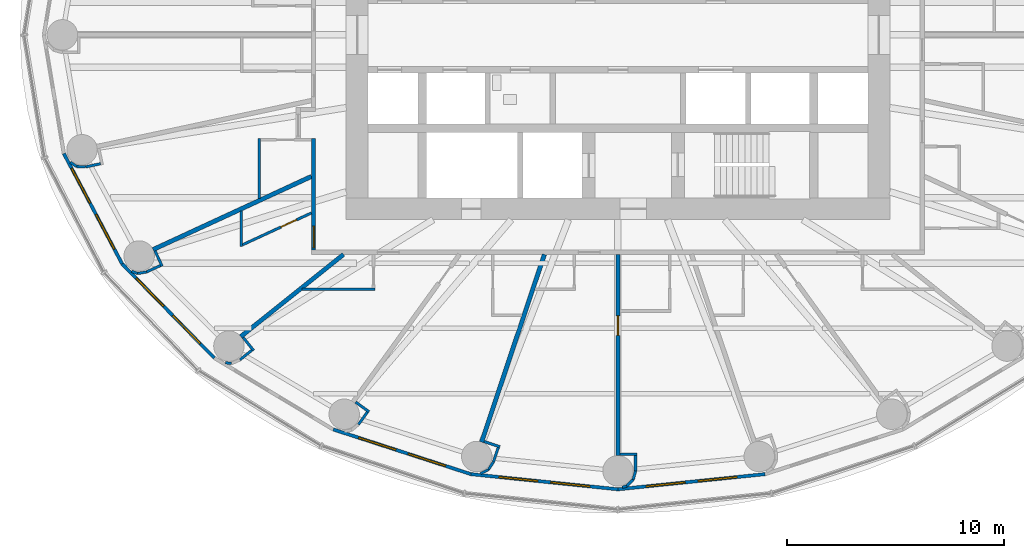
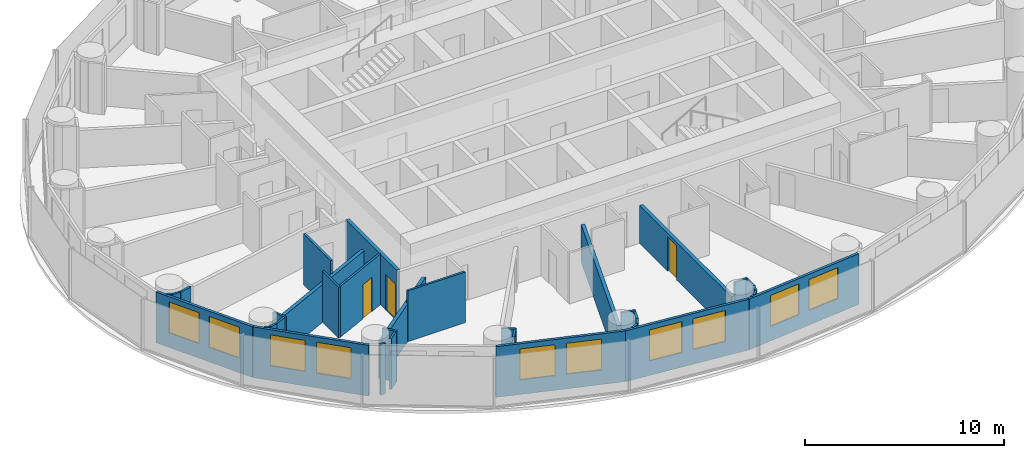
# One storey, part 6 of 16: 35 walls, 10 windows, 3 doors, 13 openings.
"""IFC4 building model written with IfcOpenShell, lengths in metres."""

from ifc_helpers import new_model, si_unit, direction, frame, frame_2d, origin, place, context, subcontext, project, spatial, rectangle, extrude, material, layer, layer_set, type_object, element, fill, save


model = new_model("IFC4")

# Units and contexts
model_context = context("Model", 3, precision=1e-05, world=origin(), true_north=direction((0.0, 1.0)))
body_context = subcontext(model_context, "Body", "Model", "MODEL_VIEW")
ifc_project = project(units=[si_unit("LENGTHUNIT", "METRE"), si_unit("AREAUNIT", "SQUARE_METRE"), si_unit("VOLUMEUNIT", "CUBIC_METRE"), si_unit("PLANEANGLEUNIT", "RADIAN"), si_unit("MASSUNIT", "GRAM", prefix="KILO")], contexts=[model_context])

# Site, building, storey
site_placement = place(None, origin())
site = spatial("IfcSite", under=ifc_project, at=site_placement, CompositionType="ELEMENT")
building_placement = place(site_placement, origin())
building = spatial("IfcBuilding", under=site, at=building_placement, Name="Hankou Lantern Tower", CompositionType="ELEMENT")
storey_placement = place(building_placement, frame((0.0, 0.0, 73.800048828125)))
storey = spatial("IfcBuildingStorey", under=building, at=storey_placement, Name="L18", CompositionType="ELEMENT", Elevation=73.800048828125)

# Wall, openings, windows
ifc_material_1 = material(Name="Aluminium spandrel panel on steel studs", Category="steel")
ifc_layer_1 = layer(ifc_material_1, 0.14990234375)
ifc_layer_set_1 = layer_set([ifc_layer_1], Name="Aluminium spandrel panel on steel studs")
wall_type_1 = type_object("IfcWallType", Name="EW1 INNER SKIN WALL 150", PredefinedType="ELEMENTEDWALL", material=ifc_layer_set_1)
wall_1_placement = place(storey_placement, frame((-25.482421875, -5.46240234375, 0.0), z_axis=(0.0, 0.0, 1.0), x_axis=(0.467296867008, -0.884100468321, 0.0)))
wall_1 = element("IfcWall", 1, at=wall_1_placement, inside=storey, type_object=wall_type_1, Name="Inner skin R14-R15 L18", PredefinedType="ELEMENTEDWALL", context=body_context, shape_type="SweptSolid", body=[
    extrude(rectangle(XDim=5.734375, YDim=0.14990234375, at=frame_2d((2.8671875, 0.0))), origin(), (0.0, 0.0, 1.0), 3.119873046875),
])
opening_1_placement = place(wall_1_placement, frame((0.76708984375, 0.0, 0.89990234375)))
opening_1 = element("IfcOpeningElement", 2, at=opening_1_placement, cuts=wall_1, Name="Opening W1", PredefinedType="OPENING", context=body_context, shape_type="SweptSolid", body=[
    extrude(rectangle(XDim=1.800048828125, YDim=1.89990234375, at=frame_2d((0.89990234375, 0.949951171875))), frame((0.0, 0.0849609375, 0.0), z_axis=(0.0, -1.0, 0.0), x_axis=(1.0, 0.0, 0.0)), (0.0, 0.0, 1.0), 0.169921875),
])
opening_2_placement = place(wall_1_placement, frame((3.167236328125, 0.0, 0.89990234375)))
opening_2 = element("IfcOpeningElement", 3, at=opening_2_placement, cuts=wall_1, Name="Opening W1", PredefinedType="OPENING", context=body_context, shape_type="SweptSolid", body=[
    extrude(rectangle(XDim=1.800048828125, YDim=1.89990234375, at=frame_2d((0.89990234375, 0.949951171875))), frame((0.0, 0.0849609375, 0.0), z_axis=(0.0, -1.0, 0.0), x_axis=(1.0, 0.0, 0.0)), (0.0, 0.0, 1.0), 0.169921875),
])
ifc_material_2 = material(Name="Aluminium framed double glazed window", Category="aluminium")
window_type = type_object("IfcWindowType", Name="W1 GUEST ROOM WINDOW 1800X1900", PartitioningType="DOUBLE_PANEL_VERTICAL", PredefinedType="WINDOW", material=ifc_material_2)
window_1_placement = place(opening_1_placement, origin())
window_1 = element("IfcWindow", 4, at=window_1_placement, inside=storey, type_object=window_type, Name="Window R14.1 L18", OverallHeight=1.89990234375, OverallWidth=1.800048828125, PartitioningType="SINGLE_PANEL", PredefinedType="WINDOW", context=body_context, shape_type="SweptSolid", body=[
    extrude(rectangle(XDim=1.800048828125, YDim=1.89990234375, at=frame_2d((0.89990234375, 0.949951171875))), frame((0.0, 0.030029296875, 0.0), z_axis=(0.0, -1.0, 0.0), x_axis=(1.0, 0.0, 0.0)), (0.0, 0.0, 1.0), 0.06005859375),
])
fill(opening_1, window_1)
window_2_placement = place(opening_2_placement, origin())
window_2 = element("IfcWindow", 5, at=window_2_placement, inside=storey, type_object=window_type, Name="Window R14.2 L18", OverallHeight=1.89990234375, OverallWidth=1.800048828125, PartitioningType="SINGLE_PANEL", PredefinedType="WINDOW", context=body_context, shape_type="SweptSolid", body=[
    extrude(rectangle(XDim=1.800048828125, YDim=1.89990234375, at=frame_2d((0.89990234375, 0.949951171875))), frame((0.0, 0.030029296875, 0.0), z_axis=(0.0, -1.0, 0.0), x_axis=(1.0, 0.0, 0.0)), (0.0, 0.0, 1.0), 0.06005859375),
])
fill(opening_2, window_2)

wall_2_placement = place(storey_placement, frame((-22.802734375, -10.5322265625, 0.0), z_axis=(0.0, 0.0, 1.0), x_axis=(0.699602905915, -0.714531856557, 0.0)))
wall_2 = element("IfcWall", 6, at=wall_2_placement, inside=storey, type_object=wall_type_1, Name="Inner skin R15-R16 L18", PredefinedType="ELEMENTEDWALL", context=body_context, shape_type="SweptSolid", body=[
    extrude(rectangle(XDim=6.05078125, YDim=0.14990234375, at=frame_2d((3.025390625, 0.0))), origin(), (0.0, 0.0, 1.0), 3.119873046875),
])
opening_3_placement = place(wall_2_placement, frame((0.925537109375, 0.0, 0.89990234375)))
opening_3 = element("IfcOpeningElement", 7, at=opening_3_placement, cuts=wall_2, Name="Opening W1", PredefinedType="OPENING", context=body_context, shape_type="SweptSolid", body=[
    extrude(rectangle(XDim=1.800048828125, YDim=1.89990234375, at=frame_2d((0.89990234375, 0.949951171875))), frame((0.0, 0.0849609375, 0.0), z_axis=(0.0, -1.0, 0.0), x_axis=(1.0, 0.0, 0.0)), (0.0, 0.0, 1.0), 0.169921875),
])
opening_4_placement = place(wall_2_placement, frame((3.325439453125, 0.0, 0.89990234375)))
opening_4 = element("IfcOpeningElement", 8, at=opening_4_placement, cuts=wall_2, Name="Opening W1", PredefinedType="OPENING", context=body_context, shape_type="SweptSolid", body=[
    extrude(rectangle(XDim=1.800048828125, YDim=1.89990234375, at=frame_2d((0.89990234375, 0.949951171875))), frame((0.0, 0.0849609375, 0.0), z_axis=(0.0, -1.0, 0.0), x_axis=(1.0, 0.0, 0.0)), (0.0, 0.0, 1.0), 0.169921875),
])
window_3_placement = place(opening_3_placement, origin())
window_3 = element("IfcWindow", 9, at=window_3_placement, inside=storey, type_object=window_type, Name="Window R15.1 L18", OverallHeight=1.89990234375, OverallWidth=1.800048828125, PartitioningType="SINGLE_PANEL", PredefinedType="WINDOW", context=body_context, shape_type="SweptSolid", body=[
    extrude(rectangle(XDim=1.800048828125, YDim=1.89990234375, at=frame_2d((0.89990234375, 0.949951171875))), frame((0.0, 0.030029296875, 0.0), z_axis=(0.0, -1.0, 0.0), x_axis=(1.0, 0.0, 0.0)), (0.0, 0.0, 1.0), 0.06005859375),
])
fill(opening_3, window_3)
window_4_placement = place(opening_4_placement, origin())
window_4 = element("IfcWindow", 10, at=window_4_placement, inside=storey, type_object=window_type, Name="Window R15.2 L18", OverallHeight=1.89990234375, OverallWidth=1.800048828125, PartitioningType="SINGLE_PANEL", PredefinedType="WINDOW", context=body_context, shape_type="SweptSolid", body=[
    extrude(rectangle(XDim=1.800048828125, YDim=1.89990234375, at=frame_2d((0.89990234375, 0.949951171875))), frame((0.0, 0.030029296875, 0.0), z_axis=(0.0, -1.0, 0.0), x_axis=(1.0, 0.0, 0.0)), (0.0, 0.0, 1.0), 0.06005859375),
])
fill(opening_4, window_4)

wall_3_placement = place(storey_placement, frame((-13.096435546875, -18.14697265625, 0.0), z_axis=(0.0, 0.0, 1.0), x_axis=(0.951137534625, -0.308767534285, 0.0)))
wall_3 = element("IfcWall", 11, at=wall_3_placement, inside=storey, type_object=wall_type_1, Name="Inner skin R17-R18 L18", PredefinedType="ELEMENTEDWALL", context=body_context, shape_type="SweptSolid", body=[
    extrude(rectangle(XDim=6.6552734375, YDim=0.14990234375, at=frame_2d((3.32763671875, 0.0))), origin(), (0.0, 0.0, 1.0), 3.119873046875),
])
opening_5_placement = place(wall_3_placement, frame((1.2275390625, 0.0, 0.89990234375)))
opening_5 = element("IfcOpeningElement", 12, at=opening_5_placement, cuts=wall_3, Name="Opening W1", PredefinedType="OPENING", context=body_context, shape_type="SweptSolid", body=[
    extrude(rectangle(XDim=1.800048828125, YDim=1.89990234375, at=frame_2d((0.89990234375, 0.949951171875))), frame((0.0, 0.0849609375, 0.0), z_axis=(0.0, -1.0, 0.0), x_axis=(1.0, 0.0, 0.0)), (0.0, 0.0, 1.0), 0.169921875),
])
opening_6_placement = place(wall_3_placement, frame((3.627685546875, 0.0, 0.89990234375)))
opening_6 = element("IfcOpeningElement", 13, at=opening_6_placement, cuts=wall_3, Name="Opening W1", PredefinedType="OPENING", context=body_context, shape_type="SweptSolid", body=[
    extrude(rectangle(XDim=1.800048828125, YDim=1.89990234375, at=frame_2d((0.89990234375, 0.949951171875))), frame((0.0, 0.0849609375, 0.0), z_axis=(0.0, -1.0, 0.0), x_axis=(1.0, 0.0, 0.0)), (0.0, 0.0, 1.0), 0.169921875),
])
window_5_placement = place(opening_5_placement, origin())
window_5 = element("IfcWindow", 14, at=window_5_placement, inside=storey, type_object=window_type, Name="Window R17.1 L18", OverallHeight=1.89990234375, OverallWidth=1.800048828125, PartitioningType="SINGLE_PANEL", PredefinedType="WINDOW", context=body_context, shape_type="SweptSolid", body=[
    extrude(rectangle(XDim=1.800048828125, YDim=1.89990234375, at=frame_2d((0.89990234375, 0.949951171875))), frame((0.0, 0.030029296875, 0.0), z_axis=(0.0, -1.0, 0.0), x_axis=(1.0, 0.0, 0.0)), (0.0, 0.0, 1.0), 0.06005859375),
])
fill(opening_5, window_5)
window_6_placement = place(opening_6_placement, origin())
window_6 = element("IfcWindow", 15, at=window_6_placement, inside=storey, type_object=window_type, Name="Window R17.2 L18", OverallHeight=1.89990234375, OverallWidth=1.800048828125, PartitioningType="SINGLE_PANEL", PredefinedType="WINDOW", context=body_context, shape_type="SweptSolid", body=[
    extrude(rectangle(XDim=1.800048828125, YDim=1.89990234375, at=frame_2d((0.89990234375, 0.949951171875))), frame((0.0, 0.030029296875, 0.0), z_axis=(0.0, -1.0, 0.0), x_axis=(1.0, 0.0, 0.0)), (0.0, 0.0, 1.0), 0.06005859375),
])
fill(opening_6, window_6)

wall_4_placement = place(storey_placement, frame((-6.766357421875, -20.201904296875, 0.0), z_axis=(0.0, 0.0, 1.0), x_axis=(0.994721394369, -0.102612609291, 0.0)))
wall_4 = element("IfcWall", 16, at=wall_4_placement, inside=storey, type_object=wall_type_1, Name="Inner skin R18-R19 L18", PredefinedType="ELEMENTEDWALL", context=body_context, shape_type="SweptSolid", body=[
    extrude(rectangle(XDim=6.80224609375, YDim=0.14990234375, at=frame_2d((3.401123046875, 0.0))), origin(), (0.0, 0.0, 1.0), 3.119873046875),
])
opening_7_placement = place(wall_4_placement, frame((1.301025390625, 0.0, 0.89990234375)))
opening_7 = element("IfcOpeningElement", 17, at=opening_7_placement, cuts=wall_4, Name="Opening W1", PredefinedType="OPENING", context=body_context, shape_type="SweptSolid", body=[
    extrude(rectangle(XDim=1.800048828125, YDim=1.89990234375, at=frame_2d((0.89990234375, 0.949951171875))), frame((0.0, 0.0849609375, 0.0), z_axis=(0.0, -1.0, 0.0), x_axis=(1.0, 0.0, 0.0)), (0.0, 0.0, 1.0), 0.169921875),
])
opening_8_placement = place(wall_4_placement, frame((3.701171875, 0.0, 0.89990234375)))
opening_8 = element("IfcOpeningElement", 18, at=opening_8_placement, cuts=wall_4, Name="Opening W1", PredefinedType="OPENING", context=body_context, shape_type="SweptSolid", body=[
    extrude(rectangle(XDim=1.800048828125, YDim=1.89990234375, at=frame_2d((0.89990234375, 0.949951171875))), frame((0.0, 0.0849609375, 0.0), z_axis=(0.0, -1.0, 0.0), x_axis=(1.0, 0.0, 0.0)), (0.0, 0.0, 1.0), 0.169921875),
])
window_7_placement = place(opening_7_placement, origin())
window_7 = element("IfcWindow", 19, at=window_7_placement, inside=storey, type_object=window_type, Name="Window R18.1 L18", OverallHeight=1.89990234375, OverallWidth=1.800048828125, PartitioningType="SINGLE_PANEL", PredefinedType="WINDOW", context=body_context, shape_type="SweptSolid", body=[
    extrude(rectangle(XDim=1.800048828125, YDim=1.89990234375, at=frame_2d((0.89990234375, 0.949951171875))), frame((0.0, 0.030029296875, 0.0), z_axis=(0.0, -1.0, 0.0), x_axis=(1.0, 0.0, 0.0)), (0.0, 0.0, 1.0), 0.06005859375),
])
fill(opening_7, window_7)
window_8_placement = place(opening_8_placement, origin())
window_8 = element("IfcWindow", 20, at=window_8_placement, inside=storey, type_object=window_type, Name="Window R18.2 L18", OverallHeight=1.89990234375, OverallWidth=1.800048828125, PartitioningType="SINGLE_PANEL", PredefinedType="WINDOW", context=body_context, shape_type="SweptSolid", body=[
    extrude(rectangle(XDim=1.800048828125, YDim=1.89990234375, at=frame_2d((0.89990234375, 0.949951171875))), frame((0.0, 0.030029296875, 0.0), z_axis=(0.0, -1.0, 0.0), x_axis=(1.0, 0.0, 0.0)), (0.0, 0.0, 1.0), 0.06005859375),
])
fill(opening_8, window_8)

wall_5_placement = place(storey_placement, frame((0.0, -20.89990234375, 0.0), z_axis=(0.0, 0.0, 1.0), x_axis=(0.994721394369, 0.102612609291, 0.0)))
wall_5 = element("IfcWall", 21, at=wall_5_placement, inside=storey, type_object=wall_type_1, Name="Inner skin R19-R20 L18", PredefinedType="ELEMENTEDWALL", context=body_context, shape_type="SweptSolid", body=[
    extrude(rectangle(XDim=6.80224609375, YDim=0.14990234375, at=frame_2d((3.401123046875, 0.0))), origin(), (0.0, 0.0, 1.0), 3.119873046875),
])
opening_9_placement = place(wall_5_placement, frame((1.301025390625, 0.0, 0.89990234375)))
opening_9 = element("IfcOpeningElement", 22, at=opening_9_placement, cuts=wall_5, Name="Opening W1", PredefinedType="OPENING", context=body_context, shape_type="SweptSolid", body=[
    extrude(rectangle(XDim=1.800048828125, YDim=1.89990234375, at=frame_2d((0.89990234375, 0.949951171875))), frame((0.0, 0.0849609375, 0.0), z_axis=(0.0, -1.0, 0.0), x_axis=(1.0, 0.0, 0.0)), (0.0, 0.0, 1.0), 0.169921875),
])
opening_10_placement = place(wall_5_placement, frame((3.701171875, 0.0, 0.89990234375)))
opening_10 = element("IfcOpeningElement", 23, at=opening_10_placement, cuts=wall_5, Name="Opening W1", PredefinedType="OPENING", context=body_context, shape_type="SweptSolid", body=[
    extrude(rectangle(XDim=1.800048828125, YDim=1.89990234375, at=frame_2d((0.89990234375, 0.949951171875))), frame((0.0, 0.0849609375, 0.0), z_axis=(0.0, -1.0, 0.0), x_axis=(1.0, 0.0, 0.0)), (0.0, 0.0, 1.0), 0.169921875),
])
window_9_placement = place(opening_9_placement, origin())
window_9 = element("IfcWindow", 24, at=window_9_placement, inside=storey, type_object=window_type, Name="Window R19.1 L18", OverallHeight=1.89990234375, OverallWidth=1.800048828125, PartitioningType="SINGLE_PANEL", PredefinedType="WINDOW", context=body_context, shape_type="SweptSolid", body=[
    extrude(rectangle(XDim=1.800048828125, YDim=1.89990234375, at=frame_2d((0.89990234375, 0.949951171875))), frame((0.0, 0.030029296875, 0.0), z_axis=(0.0, -1.0, 0.0), x_axis=(1.0, 0.0, 0.0)), (0.0, 0.0, 1.0), 0.06005859375),
])
fill(opening_9, window_9)
window_10_placement = place(opening_10_placement, origin())
window_10 = element("IfcWindow", 25, at=window_10_placement, inside=storey, type_object=window_type, Name="Window R19.2 L18", OverallHeight=1.89990234375, OverallWidth=1.800048828125, PartitioningType="SINGLE_PANEL", PredefinedType="WINDOW", context=body_context, shape_type="SweptSolid", body=[
    extrude(rectangle(XDim=1.800048828125, YDim=1.89990234375, at=frame_2d((0.89990234375, 0.949951171875))), frame((0.0, 0.030029296875, 0.0), z_axis=(0.0, -1.0, 0.0), x_axis=(1.0, 0.0, 0.0)), (0.0, 0.0, 1.0), 0.06005859375),
])
fill(opening_10, window_10)

# Walls
ifc_material_3 = material(Name="Masonry lightweight concrete block", Category="masonry")
ifc_layer_2 = layer(ifc_material_3, 0.199951171875)
ifc_layer_set_2 = layer_set([ifc_layer_2], Name="Masonry lightweight concrete block")
wall_type_2 = type_object("IfcWallType", Name="IW1 GUEST ROOM PARTY WALL 200", PredefinedType="PARTITIONING", material=ifc_layer_set_2)
wall_6_placement = place(storey_placement, frame((-14.10009765625, -6.512451171875, 0.0), z_axis=(0.0, 0.0, 1.0), x_axis=(-0.907832871056, -0.419332181247, 0.0)))
element("IfcWall", 26, at=wall_6_placement, inside=storey, type_object=wall_type_2, Name="Party wall R15", PredefinedType="PARTITIONING", context=body_context, shape_type="SweptSolid", body=[
    extrude(rectangle(XDim=8.02294921875, YDim=0.199951171875, at=frame_2d((4.011474609375, 0.0))), origin(), (0.0, 0.0, 1.0), 2.320068359375),
])
wall_7_placement = place(storey_placement, frame((-12.625, -10.10009765625, 0.0), z_axis=(0.0, 0.0, 1.0), x_axis=(-0.780892451574, -0.624665493744, 0.0)))
element("IfcWall", 27, at=wall_7_placement, inside=storey, type_object=wall_type_2, Name="Party wall R16", PredefinedType="PARTITIONING", context=body_context, shape_type="SweptSolid", body=[
    extrude(rectangle(XDim=6.044677734375, YDim=0.199951171875, at=frame_2d((3.0224609375, 0.0))), origin(), (0.0, 0.0, 1.0), 2.320068359375),
])
wall_8_placement = place(storey_placement, frame((-3.3828125, -10.10009765625, 0.0), z_axis=(0.0, 0.0, 1.0), x_axis=(-0.31759592231, -0.948226149256, 0.0)))
element("IfcWall", 28, at=wall_8_placement, inside=storey, type_object=wall_type_2, Name="Party wall R18", PredefinedType="PARTITIONING", context=body_context, shape_type="SweptSolid", body=[
    extrude(rectangle(XDim=9.098388671875, YDim=0.199951171875, at=frame_2d((4.54931640625, 0.0))), origin(), (0.0, 0.0, 1.0), 2.320068359375),
])

# Wall, opening, door
ifc_material_4 = material(Name="Masonry lightweight concrete block", Category="masonry")
ifc_layer_3 = layer(ifc_material_4, 0.199951171875)
ifc_layer_set_3 = layer_set([ifc_layer_3], Name="Masonry lightweight concrete block")
wall_type_3 = type_object("IfcWallType", Name="IW2 CORRIDOR WALL 200", PredefinedType="PARTITIONING", material=ifc_layer_set_3)
wall_9_placement = place(storey_placement, frame((-14.0, -4.7724609375, 0.0), z_axis=(0.0, 0.0, 1.0), x_axis=(0.0, -1.0, 0.0)))
wall_9 = element("IfcWall", 29, at=wall_9_placement, inside=storey, type_object=wall_type_3, Name="Corridor wall west", PredefinedType="PARTITIONING", context=body_context, shape_type="SweptSolid", body=[
    extrude(rectangle(XDim=5.12744140625, YDim=0.199951171875, at=frame_2d((2.563720703125, 0.0))), origin(), (0.0, 0.0, 1.0), 3.119873046875),
])
opening_11_placement = place(wall_9_placement, frame((4.02490234375, 0.0, 0.0)))
opening_11 = element("IfcOpeningElement", 30, at=opening_11_placement, cuts=wall_9, Name="Opening D1", PredefinedType="OPENING", context=body_context, shape_type="SweptSolid", body=[
    extrude(rectangle(XDim=1.0, YDim=2.199951171875, at=frame_2d((0.5, 1.10009765625))), frame((0.0, 0.10986328125, 0.0), z_axis=(0.0, -1.0, 0.0), x_axis=(1.0, 0.0, 0.0)), (0.0, 0.0, 1.0), 0.219970703125),
])
ifc_material_5 = material(Name="Steel door leaf", Category="steel")
door_type_1 = type_object("IfcDoorType", Name="D1 GUEST ROOM DOOR 1000X2200", OperationType="SINGLE_SWING_LEFT", PredefinedType="DOOR", material=ifc_material_5)
door_1_placement = place(opening_11_placement, origin())
door_1 = element("IfcDoor", 31, at=door_1_placement, inside=storey, type_object=door_type_1, Name="Guest room door 1820", OperationType="SINGLE_SWING_RIGHT", OverallHeight=2.199951171875, OverallWidth=1.0, PredefinedType="DOOR", context=body_context, shape_type="SweptSolid", body=[
    extrude(rectangle(XDim=1.0, YDim=2.199951171875, at=frame_2d((0.5, 1.10009765625))), frame((0.0, 0.02490234375, 0.0), z_axis=(0.0, -1.0, 0.0), x_axis=(1.0, 0.0, 0.0)), (0.0, 0.0, 1.0), 0.050048828125),
])
fill(opening_11, door_1)

# Walls
ifc_material_6 = material(Name="Masonry lightweight concrete block", Category="masonry")
ifc_layer_4 = layer(ifc_material_6, 0.1201171875)
ifc_layer_set_4 = layer_set([ifc_layer_4], Name="Masonry lightweight concrete block")
wall_type_4 = type_object("IfcWallType", Name="IW3 BATHROOM WALL 120", PredefinedType="PARTITIONING", material=ifc_layer_set_4)
wall_10_placement = place(storey_placement, frame((-14.52490234375, -11.699951171875, 0.0), z_axis=(0.0, 0.0, 1.0), x_axis=(1.0, 0.0, 0.0)))
element("IfcWall", 32, at=wall_10_placement, inside=storey, type_object=wall_type_4, Name="Box wall 1801C 1", PredefinedType="PARTITIONING", context=body_context, shape_type="SweptSolid", body=[
    extrude(rectangle(XDim=3.33984375, YDim=0.1201171875, at=frame_2d((1.669921875, 0.0))), origin(), (0.0, 0.0, 1.0), 3.119873046875),
])
wall_11_placement = place(storey_placement, frame((-16.5, -7.52099609375, 0.0), z_axis=(0.0, 0.0, 1.0), x_axis=(0.0, 1.0, 0.0)))
element("IfcWall", 33, at=wall_11_placement, inside=storey, type_object=wall_type_4, Name="Box wall 1819 1", PredefinedType="PARTITIONING", context=body_context, shape_type="SweptSolid", body=[
    extrude(rectangle(XDim=2.74853515625, YDim=0.1201171875, at=frame_2d((1.374267578125, 0.0))), origin(), (0.0, 0.0, 1.0), 3.119873046875),
])
wall_12_placement = place(storey_placement, frame((-17.32275390625, -8.10107421875, 0.0), z_axis=(0.0, 0.0, 1.0), x_axis=(0.0, -1.0, 0.0)))
element("IfcWall", 34, at=wall_12_placement, inside=storey, type_object=wall_type_4, Name="Box wall 1820 1", PredefinedType="PARTITIONING", context=body_context, shape_type="SweptSolid", body=[
    extrude(rectangle(XDim=1.639892578125, YDim=0.1201171875, at=frame_2d((0.81982421875, 0.0))), origin(), (0.0, 0.0, 1.0), 3.119873046875),
])

# Wall, opening, door
wall_13_placement = place(storey_placement, frame((-14.10009765625, -8.192626953125, 0.0), z_axis=(0.0, 0.0, 1.0), x_axis=(-0.907836493557, -0.419324338628, 0.0)))
wall_13 = element("IfcWall", 35, at=wall_13_placement, inside=storey, type_object=wall_type_4, Name="Box wall 1820 1", PredefinedType="PARTITIONING", context=body_context, shape_type="SweptSolid", body=[
    extrude(rectangle(XDim=3.48974609375, YDim=0.1201171875, at=frame_2d((1.744873046875, 0.0))), origin(), (0.0, 0.0, 1.0), 3.119873046875),
])
opening_12_placement = place(wall_13_placement, frame((0.75, 0.0, 0.0)))
opening_12 = element("IfcOpeningElement", 36, at=opening_12_placement, cuts=wall_13, Name="Opening D3", PredefinedType="OPENING", context=body_context, shape_type="SweptSolid", body=[
    extrude(rectangle(XDim=0.800048828125, YDim=2.10009765625, at=frame_2d((0.39990234375, 1.050048828125))), frame((0.0, 0.070068359375, 0.0), z_axis=(0.0, -1.0, 0.0), x_axis=(1.0, 0.0, 0.0)), (0.0, 0.0, 1.0), 0.14013671875),
])
ifc_material_7 = material(Name="Timber door leaf", Category="wood")
door_type_2 = type_object("IfcDoorType", Name="D3 BATHROOM DOOR 800X2100", OperationType="SINGLE_SWING_LEFT", PredefinedType="DOOR", material=ifc_material_7)
door_2_placement = place(opening_12_placement, origin())
door_2 = element("IfcDoor", 37, at=door_2_placement, inside=storey, type_object=door_type_2, Name="En-suite bathroom 1820 door", OperationType="SINGLE_SWING_LEFT", OverallHeight=2.10009765625, OverallWidth=0.800048828125, PredefinedType="DOOR", context=body_context, shape_type="SweptSolid", body=[
    extrude(rectangle(XDim=0.800048828125, YDim=2.10009765625, at=frame_2d((0.39990234375, 1.050048828125))), frame((0.0, 0.02490234375, 0.0), z_axis=(0.0, -1.0, 0.0), x_axis=(1.0, 0.0, 0.0)), (0.0, 0.0, 1.0), 0.050048828125),
])
fill(opening_12, door_2)

# Walls
ifc_material_8 = material(Name="Masonry lightweight concrete block", Category="masonry")
ifc_layer_5 = layer(ifc_material_8, 0.1201171875)
ifc_layer_set_5 = layer_set([ifc_layer_5], Name="Masonry lightweight concrete block")
wall_type_5 = type_object("IfcWallType", Name="IW4 PARTITION 120", PredefinedType="PARTITIONING", material=ifc_layer_set_5)
wall_14_placement = place(storey_placement, frame((-23.793212890625, -5.92626953125, 0.0), z_axis=(0.0, 0.0, 1.0), x_axis=(-0.977792206673, -0.209576717621, 0.0)))
element("IfcWall", 38, at=wall_14_placement, inside=storey, type_object=wall_type_5, Name="Column casing R14", PredefinedType="PARTITIONING", context=body_context, shape_type="SweptSolid", body=[
    extrude(rectangle(XDim=0.7001953125, YDim=0.1201171875, at=frame_2d((0.35009765625, 0.0))), origin(), (0.0, 0.0, 1.0), 3.119873046875),
])
wall_15_placement = place(storey_placement, frame((-24.477783203125, -6.072998046875, 0.0), z_axis=(0.0, 0.0, 1.0), x_axis=(-0.998708262812, 0.05081147302, 0.0)))
element("IfcWall", 39, at=wall_15_placement, inside=storey, type_object=wall_type_5, Name="Column casing R14", PredefinedType="PARTITIONING", context=body_context, shape_type="SweptSolid", body=[
    extrude(rectangle(XDim=0.41796875, YDim=0.1201171875, at=frame_2d((0.208984375, 0.0))), origin(), (0.0, 0.0, 1.0), 3.119873046875),
])
wall_16_placement = place(storey_placement, frame((-24.895263671875, -6.0517578125, 0.0), z_axis=(0.0, 0.0, 1.0), x_axis=(-0.839495197275, 0.54336710772, 0.0)))
element("IfcWall", 40, at=wall_16_placement, inside=storey, type_object=wall_type_5, Name="Column casing R14", PredefinedType="PARTITIONING", context=body_context, shape_type="SweptSolid", body=[
    extrude(rectangle(XDim=0.349609375, YDim=0.1201171875, at=frame_2d((0.1748046875, 0.0))), origin(), (0.0, 0.0, 1.0), 3.119873046875),
])
wall_17_placement = place(storey_placement, frame((-21.287109375, -9.9423828125, 0.0), z_axis=(0.0, 0.0, 1.0), x_axis=(0.419259891039, -0.907866258744, 0.0)))
element("IfcWall", 41, at=wall_17_placement, inside=storey, type_object=wall_type_5, Name="Column casing R15 return", PredefinedType="PARTITIONING", context=body_context, shape_type="SweptSolid", body=[
    extrude(rectangle(XDim=0.767578125, YDim=0.1201171875, at=frame_2d((0.3837890625, 0.0))), origin(), (0.0, 0.0, 1.0), 3.119873046875),
])
wall_18_placement = place(storey_placement, frame((-21.044921875, -10.60986328125, 0.0), z_axis=(0.0, 0.0, 1.0), x_axis=(-0.907877701396, -0.419235112208, 0.0)))
element("IfcWall", 42, at=wall_18_placement, inside=storey, type_object=wall_type_5, Name="Column casing R15", PredefinedType="PARTITIONING", context=body_context, shape_type="SweptSolid", body=[
    extrude(rectangle(XDim=0.699951171875, YDim=0.1201171875, at=frame_2d((0.35009765625, 0.0))), origin(), (0.0, 0.0, 1.0), 3.119873046875),
])
wall_19_placement = place(storey_placement, frame((-21.680419921875, -10.9033203125, 0.0), z_axis=(0.0, 0.0, 1.0), x_axis=(-0.985446622073, -0.169985161247, 0.0)))
element("IfcWall", 43, at=wall_19_placement, inside=storey, type_object=wall_type_5, Name="Column casing R15", PredefinedType="PARTITIONING", context=body_context, shape_type="SweptSolid", body=[
    extrude(rectangle(XDim=0.41796875, YDim=0.1201171875, at=frame_2d((0.208984375, 0.0))), origin(), (0.0, 0.0, 1.0), 3.119873046875),
])
wall_20_placement = place(storey_placement, frame((-22.09228515625, -10.974365234375, 0.0), z_axis=(0.0, 0.0, 1.0), x_axis=(-0.938428160676, 0.345474437912, 0.0)))
element("IfcWall", 44, at=wall_20_placement, inside=storey, type_object=wall_type_5, Name="Column casing R15", PredefinedType="PARTITIONING", context=body_context, shape_type="SweptSolid", body=[
    extrude(rectangle(XDim=0.2939453125, YDim=0.1201171875, at=frame_2d((0.14697265625, 0.0))), origin(), (0.0, 0.0, 1.0), 3.119873046875),
])
wall_21_placement = place(storey_placement, frame((-17.23583984375, -13.916748046875, 0.0), z_axis=(0.0, 0.0, 1.0), x_axis=(0.624695047554, -0.780868809443, 0.0)))
element("IfcWall", 45, at=wall_21_placement, inside=storey, type_object=wall_type_5, Name="Column casing R16 return", PredefinedType="PARTITIONING", context=body_context, shape_type="SweptSolid", body=[
    extrude(rectangle(XDim=0.767578125, YDim=0.1201171875, at=frame_2d((0.3837890625, 0.0))), origin(), (0.0, 0.0, 1.0), 3.119873046875),
])
wall_22_placement = place(storey_placement, frame((-16.840576171875, -14.506591796875, 0.0), z_axis=(0.0, 0.0, 1.0), x_axis=(-0.780902834923, -0.62465251333, 0.0)))
element("IfcWall", 46, at=wall_22_placement, inside=storey, type_object=wall_type_5, Name="Column casing R16", PredefinedType="PARTITIONING", context=body_context, shape_type="SweptSolid", body=[
    extrude(rectangle(XDim=0.699951171875, YDim=0.1201171875, at=frame_2d((0.35009765625, 0.0))), origin(), (0.0, 0.0, 1.0), 3.119873046875),
])
wall_23_placement = place(storey_placement, frame((-17.770263671875, -15.111572265625, 0.0), z_axis=(0.0, 0.0, 1.0), x_axis=(-0.993904401174, 0.110245368731, 0.0)))
element("IfcWall", 47, at=wall_23_placement, inside=storey, type_object=wall_type_5, Name="Column casing R16", PredefinedType="PARTITIONING", context=body_context, shape_type="SweptSolid", body=[
    extrude(rectangle(XDim=0.287841796875, YDim=0.1201171875, at=frame_2d((0.14404296875, 0.0))), origin(), (0.0, 0.0, 1.0), 3.119873046875),
])
wall_24_placement = place(storey_placement, frame((-12.06494140625, -16.888671875, 0.0), z_axis=(0.0, 0.0, 1.0), x_axis=(0.810821798253, -0.585293098778, 0.0)))
element("IfcWall", 48, at=wall_24_placement, inside=storey, type_object=wall_type_5, Name="Column casing R17 return", PredefinedType="PARTITIONING", context=body_context, shape_type="SweptSolid", body=[
    extrude(rectangle(XDim=0.767578125, YDim=0.1201171875, at=frame_2d((0.3837890625, 0.0))), origin(), (0.0, 0.0, 1.0), 3.119873046875),
])
wall_25_placement = place(storey_placement, frame((-11.5263671875, -17.351318359375, 0.0), z_axis=(0.0, 0.0, 1.0), x_axis=(-0.585223113993, -0.810872312296, 0.0)))
element("IfcWall", 49, at=wall_25_placement, inside=storey, type_object=wall_type_5, Name="Column casing R17", PredefinedType="PARTITIONING", context=body_context, shape_type="SweptSolid", body=[
    extrude(rectangle(XDim=0.699951171875, YDim=0.1201171875, at=frame_2d((0.35009765625, 0.0))), origin(), (0.0, 0.0, 1.0), 3.119873046875),
])
wall_26_placement = place(storey_placement, frame((-6.15869140625, -18.702392578125, 0.0), z_axis=(0.0, 0.0, 1.0), x_axis=(0.948173154049, -0.31775410295, 0.0)))
element("IfcWall", 50, at=wall_26_placement, inside=storey, type_object=wall_type_5, Name="Column casing R18 return", PredefinedType="PARTITIONING", context=body_context, shape_type="SweptSolid", body=[
    extrude(rectangle(XDim=0.767578125, YDim=0.1201171875, at=frame_2d((0.3837890625, 0.0))), origin(), (0.0, 0.0, 1.0), 3.119873046875),
])
wall_27_placement = place(storey_placement, frame((-5.5068359375, -18.984130859375, 0.0), z_axis=(0.0, 0.0, 1.0), x_axis=(-0.317692050622, -0.948193946918, 0.0)))
element("IfcWall", 51, at=wall_27_placement, inside=storey, type_object=wall_type_5, Name="Column casing R18", PredefinedType="PARTITIONING", context=body_context, shape_type="SweptSolid", body=[
    extrude(rectangle(XDim=0.7001953125, YDim=0.1201171875, at=frame_2d((0.35009765625, 0.0))), origin(), (0.0, 0.0, 1.0), 3.119873046875),
])
wall_28_placement = place(storey_placement, frame((-5.729248046875, -19.64794921875, 0.0), z_axis=(0.0, 0.0, 1.0), x_axis=(-0.552135764955, -0.833754218615, 0.0)))
element("IfcWall", 52, at=wall_28_placement, inside=storey, type_object=wall_type_5, Name="Column casing R18", PredefinedType="PARTITIONING", context=body_context, shape_type="SweptSolid", body=[
    extrude(rectangle(XDim=0.41796875, YDim=0.1201171875, at=frame_2d((0.208984375, 0.0))), origin(), (0.0, 0.0, 1.0), 3.119873046875),
])
wall_29_placement = place(storey_placement, frame((-5.9599609375, -19.996337890625, 0.0), z_axis=(0.0, 0.0, 1.0), x_axis=(-0.895160725913, -0.445743507842, 0.0)))
element("IfcWall", 53, at=wall_29_placement, inside=storey, type_object=wall_type_5, Name="Column casing R18", PredefinedType="PARTITIONING", context=body_context, shape_type="SweptSolid", body=[
    extrude(rectangle(XDim=0.398681640625, YDim=0.1201171875, at=frame_2d((0.19921875, 0.0))), origin(), (0.0, 0.0, 1.0), 3.119873046875),
])
wall_30_placement = place(storey_placement, frame((0.10009765625, -19.2900390625, 0.0), z_axis=(0.0, 0.0, 1.0), x_axis=(1.0, 0.0, 0.0)))
element("IfcWall", 54, at=wall_30_placement, inside=storey, type_object=wall_type_5, Name="Column casing R19 return", PredefinedType="PARTITIONING", context=body_context, shape_type="SweptSolid", body=[
    extrude(rectangle(XDim=0.767333984375, YDim=0.1201171875, at=frame_2d((0.3837890625, 0.0))), origin(), (0.0, 0.0, 1.0), 3.119873046875),
])
wall_31_placement = place(storey_placement, frame((0.8076171875, -19.35009765625, 0.0), z_axis=(0.0, 0.0, 1.0), x_axis=(0.0, -1.0, 0.0)))
element("IfcWall", 55, at=wall_31_placement, inside=storey, type_object=wall_type_5, Name="Column casing R19", PredefinedType="PARTITIONING", context=body_context, shape_type="SweptSolid", body=[
    extrude(rectangle(XDim=0.699951171875, YDim=0.1201171875, at=frame_2d((0.35009765625, 0.0))), origin(), (0.0, 0.0, 1.0), 3.119873046875),
])
wall_32_placement = place(storey_placement, frame((0.8076171875, -20.050048828125, 0.0), z_axis=(0.0, 0.0, 1.0), x_axis=(-0.2592614205, -0.965807183573, 0.0)))
element("IfcWall", 56, at=wall_32_placement, inside=storey, type_object=wall_type_5, Name="Column casing R19", PredefinedType="PARTITIONING", context=body_context, shape_type="SweptSolid", body=[
    extrude(rectangle(XDim=0.418212890625, YDim=0.1201171875, at=frame_2d((0.208984375, 0.0))), origin(), (0.0, 0.0, 1.0), 3.119873046875),
])
wall_33_placement = place(storey_placement, frame((0.69921875, -20.453857421875, 0.0), z_axis=(0.0, 0.0, 1.0), x_axis=(-0.707106781187, -0.707106781187, 0.0)))
element("IfcWall", 57, at=wall_33_placement, inside=storey, type_object=wall_type_5, Name="Column casing R19", PredefinedType="PARTITIONING", context=body_context, shape_type="SweptSolid", body=[
    extrude(rectangle(XDim=0.417724609375, YDim=0.1201171875, at=frame_2d((0.208984375, 0.0))), origin(), (0.0, 0.0, 1.0), 3.119873046875),
])
wall_34_placement = place(storey_placement, frame((0.40380859375, -20.749267578125, 0.0), z_axis=(0.0, 0.0, 1.0), x_axis=(-0.965759066438, -0.25944060128, 0.0)))
element("IfcWall", 58, at=wall_34_placement, inside=storey, type_object=wall_type_5, Name="Column casing R19", PredefinedType="PARTITIONING", context=body_context, shape_type="SweptSolid", body=[
    extrude(rectangle(XDim=0.213623046875, YDim=0.1201171875, at=frame_2d((0.10693359375, 0.0))), origin(), (0.0, 0.0, 1.0), 3.119873046875),
])

# Wall, opening, door
ifc_material_9 = material(Name="Masonry lightweight concrete block", Category="masonry")
ifc_layer_6 = layer(ifc_material_9, 0.199951171875)
ifc_layer_set_6 = layer_set([ifc_layer_6], Name="Masonry lightweight concrete block")
wall_type_6 = type_object("IfcWallType", Name="IW6 SUITE PARTITION 200", PredefinedType="PARTITIONING", material=ifc_layer_set_6)
wall_35_placement = place(storey_placement, frame((0.0, -10.10009765625, 0.0), z_axis=(0.0, 0.0, 1.0), x_axis=(0.0, -1.0, 0.0)))
wall_35 = element("IfcWall", 59, at=wall_35_placement, inside=storey, type_object=wall_type_6, Name="Suite partition R19", PredefinedType="PARTITIONING", context=body_context, shape_type="SweptSolid", body=[
    extrude(rectangle(XDim=9.25, YDim=0.199951171875, at=frame_2d((4.625, 0.0))), origin(), (0.0, 0.0, 1.0), 2.320068359375),
])
opening_13_placement = place(wall_35_placement, frame((2.820068359375, 0.0, 0.0)))
opening_13 = element("IfcOpeningElement", 60, at=opening_13_placement, cuts=wall_35, Name="Opening D27", PredefinedType="OPENING", context=body_context, shape_type="SweptSolid", body=[
    extrude(rectangle(XDim=0.89990234375, YDim=2.10009765625, at=frame_2d((0.449951171875, 1.050048828125))), frame((0.0, 0.10986328125, 0.0), z_axis=(0.0, -1.0, 0.0), x_axis=(1.0, 0.0, 0.0)), (0.0, 0.0, 1.0), 0.219970703125),
])
ifc_material_10 = material(Name="Timber door leaf", Category="wood")
door_type_3 = type_object("IfcDoorType", Name="D27 INTERNAL DOOR 900X2100", OperationType="SINGLE_SWING_LEFT", PredefinedType="DOOR", material=ifc_material_10)
door_3_placement = place(opening_13_placement, origin())
door_3 = element("IfcDoor", 61, at=door_3_placement, inside=storey, type_object=door_type_3, Name="Suite 1802 bedroom door", OperationType="SINGLE_SWING_LEFT", OverallHeight=2.10009765625, OverallWidth=0.89990234375, PredefinedType="DOOR", context=body_context, shape_type="SweptSolid", body=[
    extrude(rectangle(XDim=0.89990234375, YDim=2.10009765625, at=frame_2d((0.449951171875, 1.050048828125))), frame((0.0, 0.02490234375, 0.0), z_axis=(0.0, -1.0, 0.0), x_axis=(1.0, 0.0, 0.0)), (0.0, 0.0, 1.0), 0.050048828125),
])
fill(opening_13, door_3)

save(model, "model.ifc")
